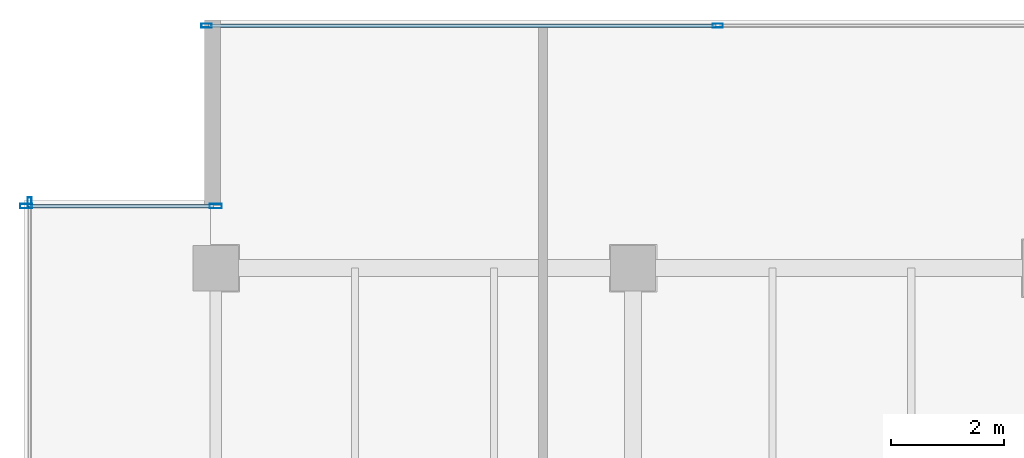
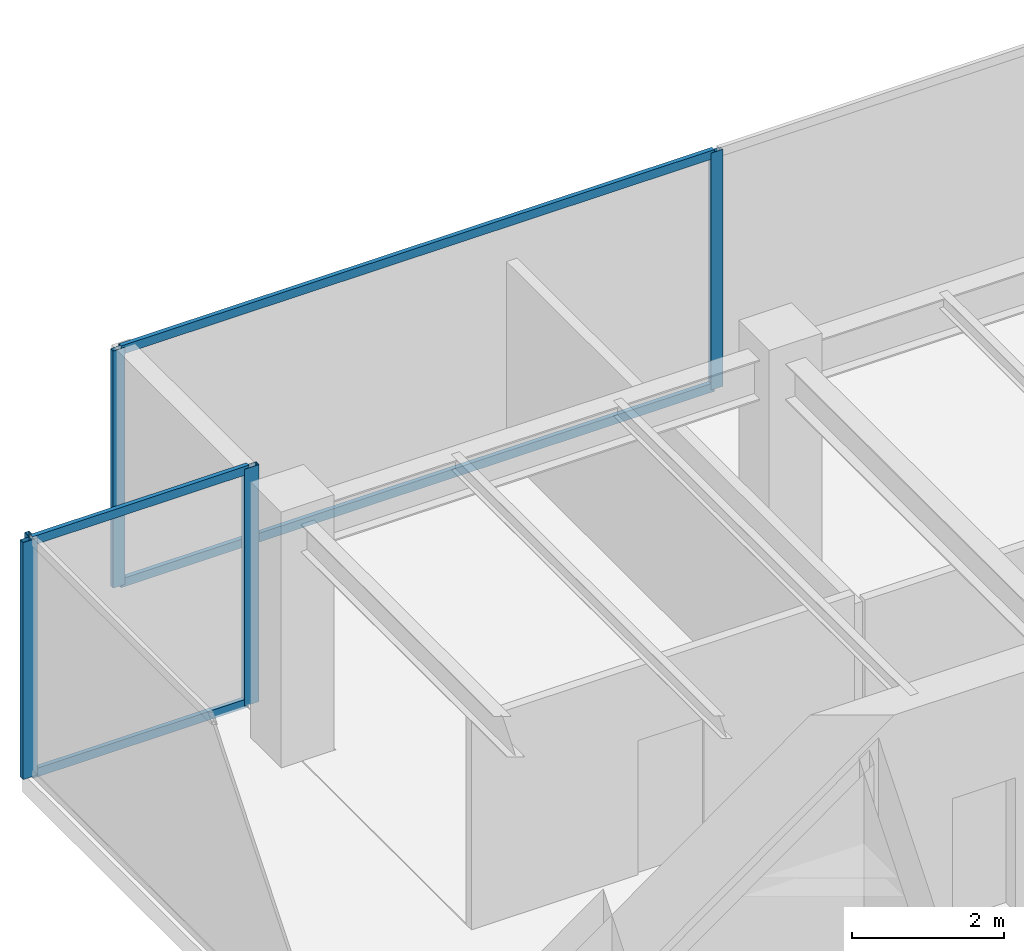
# One storey, part 15 of 36: 9 members, 3 elements without a shape of their own.
"""IFC4 building model written with IfcOpenShell, lengths in metres."""

from ifc_helpers import new_model, si_unit, direction, frame, origin, origin_2d, place, context, subcontext, project, spatial, hollow_rectangle, extrude, source, transform, mapped, material, layer, layer_set, material_profile, profile_set, type_object, type_shapes, element, aggregate, save


model = new_model("IFC4")

# Units and contexts
model_context = context("Model", 3, precision=1e-05, world=origin(), true_north=direction((0.0, 1.0)))
body_context = subcontext(model_context, "Body", "Model", "MODEL_VIEW")
ifc_project = project(units=[si_unit("LENGTHUNIT", "METRE"), si_unit("AREAUNIT", "SQUARE_METRE"), si_unit("VOLUMEUNIT", "CUBIC_METRE"), si_unit("PLANEANGLEUNIT", "RADIAN"), si_unit("MASSUNIT", "GRAM", prefix="KILO")], contexts=[model_context])

# Site, building, storey
site_placement = place(None, origin())
site = spatial("IfcSite", under=ifc_project, at=site_placement, CompositionType="ELEMENT")
building_placement = place(site_placement, origin())
building = spatial("IfcBuilding", under=site, at=building_placement, Name="Haelvirn Gate Laboratories", CompositionType="ELEMENT")
storey_placement = place(building_placement, frame((0.0, 0.0, 254.699951171875)))
storey = spatial("IfcBuildingStorey", under=building, at=storey_placement, Name="L61", CompositionType="ELEMENT", Elevation=254.699951171875)

# Curtain wall, members
ifc_material_1 = material(Name="Anodised bronze unitised aluminium & triple low-E glass", Category="aluminium")
ifc_layer_1 = layer(ifc_material_1, 0.181884765625, Name="CW-SYS-5")
ifc_layer_set_1 = layer_set([ifc_layer_1], Name="Anodised bronze unitised aluminium & triple low-E glass")
curtain_wall_type_1 = type_object("IfcCurtainWallType", Name="CW-SYS-5", PredefinedType="NOTDEFINED", material=ifc_layer_set_1)
curtain_wall_1_placement = place(storey_placement, origin())
curtain_wall_1 = element("IfcCurtainWall", 1, at=curtain_wall_1_placement, inside=storey, type_object=curtain_wall_type_1, Name="L61 Unitised Curtain Wall CW-L61-P0-E16-1", PredefinedType="NOTDEFINED")
ifc_material_2 = material(Name="Extruded aluminium 6063-T6 (anodised bronze)", Category="aluminium")
ifc_material_profile_1 = material_profile(ifc_material_2, hollow_rectangle(XDim=0.06494140625, YDim=0.139892578125, WallThickness=0.00390625, at=origin_2d()), Name="CWT-140x65x4")
ifc_profile_set_1 = profile_set([ifc_material_profile_1], Name="Extruded aluminium 6063-T6 (anodised bronze)")
member_type_1 = type_object("IfcMemberType", Name="CWT-T140", PredefinedType="USERDEFINED", material=ifc_profile_set_1)
shared_shape_1 = source(origin(), body_context, "Body", "SweptSolid", [
    extrude(hollow_rectangle(XDim=0.06494140625, YDim=0.139892578125, WallThickness=0.00390625, at=origin_2d()), origin(), (0.0, 0.0, 1.0), 3.280029296875),
])
member_1_placement = place(storey_placement, frame((4.080078125, 42.699951171875, 0.032470703125), z_axis=(1.0, 0.0, 0.0), x_axis=(0.0, 1.0, 0.0)))
member_1 = element("IfcMember", 2, at=member_1_placement, type_object=member_type_1, Name="CW5 transom 1.1", ObjectType="TRANSOM", PredefinedType="USERDEFINED", context=body_context, shape_type="MappedRepresentation", body=[
    mapped(shared_shape_1, transform((0.0, 0.0, 0.0), scale=1.0)),
])
member_2_placement = place(storey_placement, frame((4.080078125, 42.699951171875, 3.767578125), z_axis=(1.0, 0.0, 0.0), x_axis=(0.0, 1.0, 0.0)))
member_2 = element("IfcMember", 3, at=member_2_placement, type_object=member_type_1, Name="CW5 transom 1.2", ObjectType="TRANSOM", PredefinedType="USERDEFINED", context=body_context, shape_type="MappedRepresentation", body=[
    mapped(shared_shape_1, transform((0.0, 0.0, 0.0), scale=1.0)),
])

ifc_layer_2 = layer(ifc_material_1, 0.176025390625, Name="CW-SYS-4")
ifc_layer_set_2 = layer_set([ifc_layer_2], Name="Anodised bronze unitised aluminium & triple low-E glass")
curtain_wall_type_2 = type_object("IfcCurtainWallType", Name="CW-SYS-4", PredefinedType="NOTDEFINED", material=ifc_layer_set_2)
curtain_wall_2_placement = place(storey_placement, origin())
curtain_wall_2 = element("IfcCurtainWall", 4, at=curtain_wall_2_placement, inside=storey, type_object=curtain_wall_type_2, Name="L61 Unitised Curtain Wall CW-L61-P0-E14-1", PredefinedType="NOTDEFINED")
ifc_material_profile_2 = material_profile(ifc_material_2, hollow_rectangle(XDim=0.070068359375, YDim=0.179931640625, WallThickness=0.0048828125, at=origin_2d()), Name="CWM-180x70x5")
ifc_profile_set_2 = profile_set([ifc_material_profile_2], Name="Extruded aluminium 6063-T6 (anodised bronze)")
member_type_2 = type_object("IfcMemberType", Name="CWM-T180", PredefinedType="MULLION", material=ifc_profile_set_2)
shared_shape_2 = source(origin(), body_context, "Body", "SweptSolid", [
    extrude(hollow_rectangle(XDim=0.070068359375, YDim=0.179931640625, WallThickness=0.0048828125, at=origin_2d()), origin(), (0.0, 0.0, 1.0), 3.800048828125),
])
type_shapes(member_type_2, [shared_shape_2])
member_3_placement = place(storey_placement, frame((7.235107421875, 45.89990234375, 0.0), z_axis=(0.0, 0.0, 1.0), x_axis=(0.0, 1.0, 0.0)))
member_3 = element("IfcMember", 5, at=member_3_placement, type_object=member_type_2, Name="CW4 mullion 1", PredefinedType="MULLION", context=body_context, shape_type="MappedRepresentation", body=[
    mapped(shared_shape_2, transform((0.0, 0.0, 0.0), scale=1.0)),
])
member_4_placement = place(storey_placement, frame((16.300048828125, 45.89990234375, 0.0), z_axis=(0.0, 0.0, 1.0), x_axis=(0.0, 1.0, 0.0)))
member_4 = element("IfcMember", 6, at=member_4_placement, type_object=member_type_2, Name="CW4 mullion 2", PredefinedType="MULLION", context=body_context, shape_type="MappedRepresentation", body=[
    mapped(shared_shape_2, transform((0.0, 0.0, 0.0), scale=1.0)),
])

# Curtain wall, member
curtain_wall_3_placement = place(storey_placement, origin())
curtain_wall_3 = element("IfcCurtainWall", 7, at=curtain_wall_3_placement, inside=storey, type_object=curtain_wall_type_2, Name="L61 Unitised Curtain Wall CW-L61-P0-E17", PredefinedType="NOTDEFINED")
member_5_placement = place(storey_placement, frame((4.10009765625, 42.764892578125, 0.0), z_axis=(0.0, 0.0, 1.0), x_axis=(1.0, 0.0, 0.0)))
member_5 = element("IfcMember", 8, at=member_5_placement, type_object=member_type_2, Name="CW4 mullion 1", PredefinedType="MULLION", context=body_context, shape_type="MappedRepresentation", body=[
    mapped(shared_shape_2, transform((0.0, 0.0, 0.0), scale=1.0)),
])
aggregate(curtain_wall_3, [member_5])

# Member
shared_shape_3 = source(origin(), body_context, "Body", "SweptSolid", [
    extrude(hollow_rectangle(XDim=0.06494140625, YDim=0.139892578125, WallThickness=0.00390625, at=origin_2d()), origin(), (0.0, 0.0, 1.0), 8.994873046875),
])
type_shapes(member_type_1, [shared_shape_1, shared_shape_3])
member_6_placement = place(storey_placement, frame((7.27001953125, 45.89990234375, 0.032470703125), z_axis=(1.0, 0.0, 0.0), x_axis=(0.0, 1.0, 0.0)))
member_6 = element("IfcMember", 9, at=member_6_placement, type_object=member_type_1, Name="CW4 transom 1.1", ObjectType="TRANSOM", PredefinedType="USERDEFINED", context=body_context, shape_type="MappedRepresentation", body=[
    mapped(shared_shape_3, transform((0.0, 0.0, 0.0), scale=1.0)),
])

member_7_placement = place(storey_placement, frame((7.27001953125, 45.89990234375, 3.767578125), z_axis=(1.0, 0.0, 0.0), x_axis=(0.0, 1.0, 0.0)))
member_7 = element("IfcMember", 10, at=member_7_placement, type_object=member_type_1, Name="CW4 transom 1.2", ObjectType="TRANSOM", PredefinedType="USERDEFINED", context=body_context, shape_type="MappedRepresentation", body=[
    mapped(shared_shape_3, transform((0.0, 0.0, 0.0), scale=1.0)),
])

aggregate(curtain_wall_2, [member_3, member_4, member_6, member_7])

ifc_material_profile_3 = material_profile(ifc_material_2, hollow_rectangle(XDim=0.080078125, YDim=0.219970703125, WallThickness=0.006103515625, at=origin_2d()), Name="CWM-220x80x6")
ifc_profile_set_3 = profile_set([ifc_material_profile_3], Name="Extruded aluminium 6063-T6 (anodised bronze)")
member_type_3 = type_object("IfcMemberType", Name="CWM-T220", PredefinedType="MULLION", material=ifc_profile_set_3)
shared_shape_4 = source(origin(), body_context, "Body", "SweptSolid", [
    extrude(hollow_rectangle(XDim=0.080078125, YDim=0.219970703125, WallThickness=0.006103515625, at=origin_2d()), origin(), (0.0, 0.0, 1.0), 3.800048828125),
])
type_shapes(member_type_3, [shared_shape_4])
member_8_placement = place(storey_placement, frame((4.0400390625, 42.699951171875, 0.0), z_axis=(0.0, 0.0, 1.0), x_axis=(0.0, 1.0, 0.0)))
member_8 = element("IfcMember", 11, at=member_8_placement, type_object=member_type_3, Name="CW5 mullion 1", PredefinedType="MULLION", context=body_context, shape_type="MappedRepresentation", body=[
    mapped(shared_shape_4, transform((0.0, 0.0, 0.0), scale=1.0)),
])

member_9_placement = place(storey_placement, frame((7.39990234375, 42.699951171875, 0.0), z_axis=(0.0, 0.0, 1.0), x_axis=(0.0, 1.0, 0.0)))
member_9 = element("IfcMember", 12, at=member_9_placement, type_object=member_type_3, Name="CW5 mullion 2", PredefinedType="MULLION", context=body_context, shape_type="MappedRepresentation", body=[
    mapped(shared_shape_4, transform((0.0, 0.0, 0.0), scale=1.0)),
])

aggregate(curtain_wall_1, [member_8, member_9, member_1, member_2])

save(model, "model.ifc")
